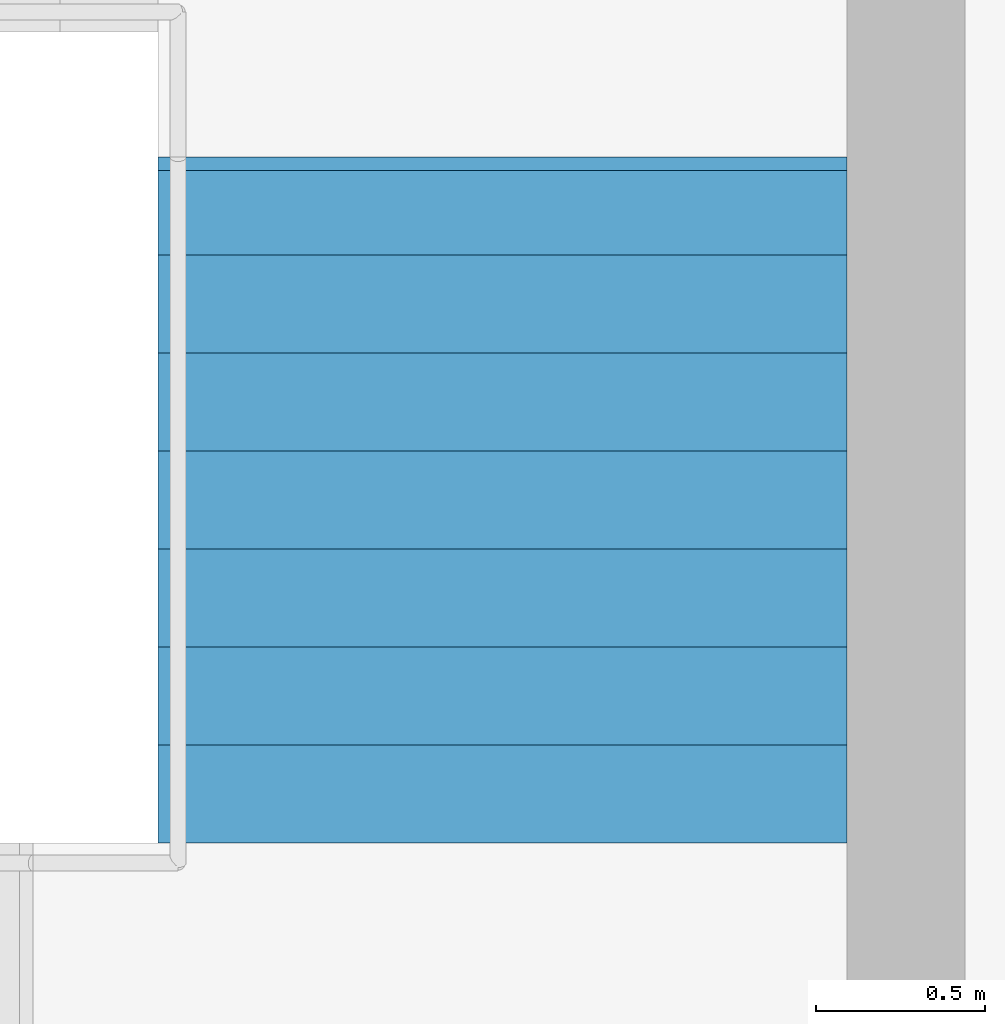
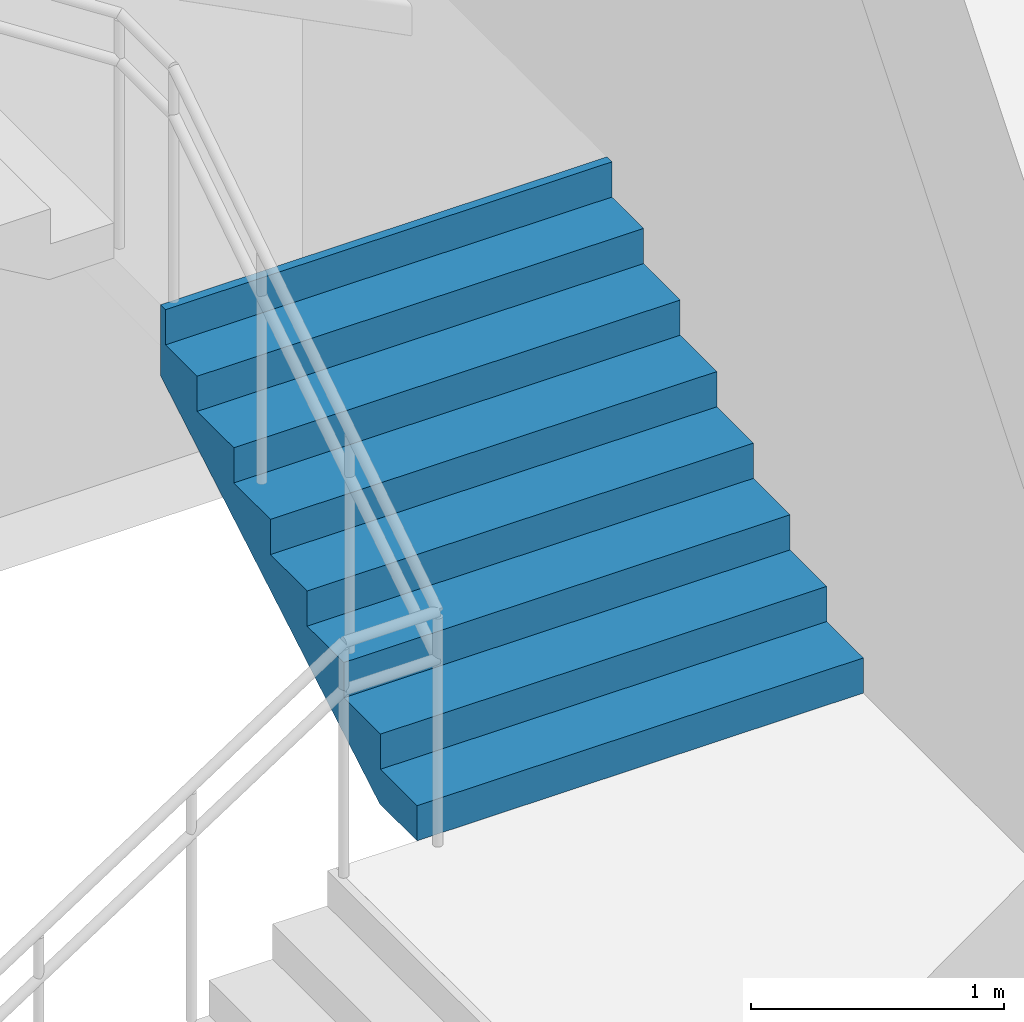
# One storey, part 55 of 72: 1 stair flight, 1 element without a shape of its own.
"""IFC4 building model written with IfcOpenShell, lengths in metres."""

from ifc_helpers import new_model, si_unit, direction, frame, origin, place, context, subcontext, project, spatial, triangles, material, type_object, element, aggregate, save


model = new_model("IFC4")

# Units and contexts
model_context = context("Model", 3, precision=1e-05, world=origin(), true_north=direction((0.0, 1.0)))
body_context = subcontext(model_context, "Body", "Model", "MODEL_VIEW")
ifc_project = project(units=[si_unit("LENGTHUNIT", "METRE"), si_unit("AREAUNIT", "SQUARE_METRE"), si_unit("VOLUMEUNIT", "CUBIC_METRE"), si_unit("PLANEANGLEUNIT", "RADIAN"), si_unit("MASSUNIT", "GRAM", prefix="KILO")], contexts=[model_context])

# Site, building, storey
site_placement = place(None, origin())
site = spatial("IfcSite", under=ifc_project, at=site_placement, CompositionType="ELEMENT")
building_placement = place(site_placement, origin())
building = spatial("IfcBuilding", under=site, at=building_placement, Name="Sillaruma Civic Art Gallery", CompositionType="ELEMENT")
storey_placement = place(building_placement, frame((0.0, 0.0, 10.8798828125)))
storey = spatial("IfcBuildingStorey", under=building, at=storey_placement, Name="L02", CompositionType="ELEMENT", Elevation=10.8798828125)

# Stair, stair flight
ifc_material = material(Name="Concrete H35 (35 MPa)", Category="concrete")
stair_type = type_object("IfcStairType", Name="STR-4F-32", PredefinedType="USERDEFINED", material=ifc_material)
stair_placement = place(storey_placement, origin())
stair = element("IfcStair", 1, at=stair_placement, inside=storey, type_object=stair_type, Name="Protected Exit Stair ST-04 (East Bar) (L02)", ObjectType="THREE_RETURN_STAIR", PredefinedType="USERDEFINED")
stair_flight_type = type_object("IfcStairFlightType", Name="SFL-STR-8", PredefinedType="STRAIGHT", material=ifc_material)
stair_flight_placement = place(storey_placement, frame((104.320068359375, 53.25, 1.360107421875), z_axis=(0.0, 0.0, 1.0), x_axis=(0.0, 1.0, 0.0)))
stair_flight = element("IfcStairFlight", 2, at=stair_flight_placement, type_object=stair_flight_type, Name="ST-04 flight 2", NumberOfRisers=8, NumberOfTreads=7, PredefinedType="STRAIGHT", RiserHeight=0.17, TreadLength=0.29, context=body_context, shape_type="Tessellation", body=[
    triangles([(0.0, -1.02001953125, 0.0), (0.29, -1.02001953125, 0.0), (0.296443, -1.02001953125, 0.0), (0.58, -1.02001953125, 0.166223), (0.87, -1.02001953125, 0.336223), (1.16, -1.02001953125, 0.506223), (1.45, -1.02001953125, 0.676223), (1.74, -1.02001953125, 0.846223), (1.990029, -1.02001953125, 0.992792), (2.030029, -1.02001953125, 1.01624), (2.030029, -1.02001953125, 1.36), (1.990029, -1.02001953125, 1.36), (1.990029, -1.02001953125, 1.19), (1.74, -1.02001953125, 1.19), (1.74, -1.02001953125, 1.02), (1.45, -1.02001953125, 1.02), (1.45, -1.02001953125, 0.85), (1.16, -1.02001953125, 0.85), (1.16, -1.02001953125, 0.68), (0.87, -1.02001953125, 0.68), (0.87, -1.02001953125, 0.51), (0.58, -1.02001953125, 0.51), (0.58, -1.02001953125, 0.34), (0.296443, -1.02001953125, 0.34), (0.29, -1.02001953125, 0.34), (0.29, -1.02001953125, 0.17), (0.0, -1.02001953125, 0.17), (0.0, -0.05, 0.0), (0.29, -0.05, 0.0), (0.296443, -0.05, 0.0), (0.58, -0.05, 0.166223), (0.87, -0.05, 0.336223), (1.16, -0.05, 0.506223), (1.45, -0.05, 0.676223), (1.74, -0.05, 0.846223), (1.990029, -0.05, 0.992792), (2.030029, -0.05, 1.01624), (2.030029, -0.05, 1.36), (1.990029, -0.05, 1.36), (1.990029, -0.05, 1.19), (1.74, -0.05, 1.19), (1.74, -0.05, 1.02), (1.45, -0.05, 1.02), (1.45, -0.05, 0.85), (1.16, -0.05, 0.85), (1.16, -0.05, 0.68), (0.87, -0.05, 0.68), (0.87, -0.05, 0.51), (0.58, -0.05, 0.51), (0.58, -0.05, 0.34), (0.296443, -0.05, 0.34), (0.29, -0.05, 0.34), (0.29, -0.05, 0.17), (0.0, -0.05, 0.17), (0.0, -0.0375, 0.0), (0.29, -0.0375, 0.0), (0.296443, -0.0375, 0.0), (0.58, -0.0375, 0.166223), (0.87, -0.0375, 0.336223), (1.16, -0.0375, 0.506223), (1.45, -0.0375, 0.676223), (1.74, -0.0375, 0.846223), (1.990029, -0.0375, 0.992792), (2.030029, -0.0375, 1.01624), (2.030029, -0.0375, 1.36), (1.990029, -0.0375, 1.36), (1.990029, -0.0375, 1.19), (1.74, -0.0375, 1.19), (1.74, -0.0375, 1.02), (1.45, -0.0375, 1.02), (1.45, -0.0375, 0.85), (1.16, -0.0375, 0.85), (1.16, -0.0375, 0.68), (0.87, -0.0375, 0.68), (0.87, -0.0375, 0.51), (0.58, -0.0375, 0.51), (0.58, -0.0375, 0.34), (0.296443, -0.0375, 0.34), (0.29, -0.0375, 0.34), (0.29, -0.0375, 0.17), (0.0, -0.0375, 0.17), (0.0, -0.025, 0.0), (0.29, -0.025, 0.0), (0.296443, -0.025, 0.0), (0.58, -0.025, 0.166223), (0.87, -0.025, 0.336223), (1.16, -0.025, 0.506223), (1.45, -0.025, 0.676223), (1.74, -0.025, 0.846223), (1.990029, -0.025, 0.992792), (2.030029, -0.025, 1.01624), (2.030029, -0.025, 1.36), (1.990029, -0.025, 1.36), (1.990029, -0.025, 1.19), (1.74, -0.025, 1.19), (1.74, -0.025, 1.02), (1.45, -0.025, 1.02), (1.45, -0.025, 0.85), (1.16, -0.025, 0.85), (1.16, -0.025, 0.68), (0.87, -0.025, 0.68), (0.87, -0.025, 0.51), (0.58, -0.025, 0.51), (0.58, -0.025, 0.34), (0.296443, -0.025, 0.34), (0.29, -0.025, 0.34), (0.29, -0.025, 0.17), (0.0, -0.025, 0.17), (0.0, -0.0125, 0.0), (0.29, -0.0125, 0.0), (0.296443, -0.0125, 0.0), (0.58, -0.0125, 0.166223), (0.87, -0.0125, 0.336223), (1.16, -0.0125, 0.506223), (1.45, -0.0125, 0.676223), (1.74, -0.0125, 0.846223), (1.990029, -0.0125, 0.992792), (2.030029, -0.0125, 1.01624), (2.030029, -0.0125, 1.36), (1.990029, -0.0125, 1.36), (1.990029, -0.0125, 1.19), (1.74, -0.0125, 1.19), (1.74, -0.0125, 1.02), (1.45, -0.0125, 1.02), (1.45, -0.0125, 0.85), (1.16, -0.0125, 0.85), (1.16, -0.0125, 0.68), (0.87, -0.0125, 0.68), (0.87, -0.0125, 0.51), (0.58, -0.0125, 0.51), (0.58, -0.0125, 0.34), (0.296443, -0.0125, 0.34), (0.29, -0.0125, 0.34), (0.29, -0.0125, 0.17), (0.0, -0.0125, 0.17), (0.0, 0.0, 0.0), (0.29, 0.0, 0.0), (0.296443, 0.0, 0.0), (0.58, 0.0, 0.166223), (0.87, 0.0, 0.336223), (1.16, 0.0, 0.506223), (1.45, 0.0, 0.676223), (1.74, 0.0, 0.846223), (1.990029, 0.0, 0.992792), (2.030029, 0.0, 1.01624), (2.030029, 0.0, 1.36), (1.990029, 0.0, 1.36), (1.990029, 0.0, 1.19), (1.74, 0.0, 1.19), (1.74, 0.0, 1.02), (1.45, 0.0, 1.02), (1.45, 0.0, 0.85), (1.16, 0.0, 0.85), (1.16, 0.0, 0.68), (0.87, 0.0, 0.68), (0.87, 0.0, 0.51), (0.58, 0.0, 0.51), (0.58, 0.0, 0.34), (0.296443, 0.0, 0.34), (0.29, 0.0, 0.34), (0.29, 0.0, 0.17), (0.0, 0.0, 0.17), (0.0, 0.0125, 0.0), (0.29, 0.0125, 0.0), (0.296443, 0.0125, 0.0), (0.58, 0.0125, 0.166223), (0.87, 0.0125, 0.336223), (1.16, 0.0125, 0.506223), (1.45, 0.0125, 0.676223), (1.74, 0.0125, 0.846223), (1.990029, 0.0125, 0.992792), (2.030029, 0.0125, 1.01624), (2.030029, 0.0125, 1.36), (1.990029, 0.0125, 1.36), (1.990029, 0.0125, 1.19), (1.74, 0.0125, 1.19), (1.74, 0.0125, 1.02), (1.45, 0.0125, 1.02), (1.45, 0.0125, 0.85), (1.16, 0.0125, 0.85), (1.16, 0.0125, 0.68), (0.87, 0.0125, 0.68), (0.87, 0.0125, 0.51), (0.58, 0.0125, 0.51), (0.58, 0.0125, 0.34), (0.296443, 0.0125, 0.34), (0.29, 0.0125, 0.34), (0.29, 0.0125, 0.17), (0.0, 0.0125, 0.17), (0.0, 0.025, 0.0), (0.29, 0.025, 0.0), (0.296443, 0.025, 0.0), (0.58, 0.025, 0.166223), (0.87, 0.025, 0.336223), (1.16, 0.025, 0.506223), (1.45, 0.025, 0.676223), (1.74, 0.025, 0.846223), (1.990029, 0.025, 0.992792), (2.030029, 0.025, 1.01624), (2.030029, 0.025, 1.36), (1.990029, 0.025, 1.36), (1.990029, 0.025, 1.19), (1.74, 0.025, 1.19), (1.74, 0.025, 1.02), (1.45, 0.025, 1.02), (1.45, 0.025, 0.85), (1.16, 0.025, 0.85), (1.16, 0.025, 0.68), (0.87, 0.025, 0.68), (0.87, 0.025, 0.51), (0.58, 0.025, 0.51), (0.58, 0.025, 0.34), (0.296443, 0.025, 0.34), (0.29, 0.025, 0.34), (0.29, 0.025, 0.17), (0.0, 0.025, 0.17), (0.0, 0.0375, 0.0), (0.29, 0.0375, 0.0), (0.296443, 0.0375, 0.0), (0.58, 0.0375, 0.166223), (0.87, 0.0375, 0.336223), (1.16, 0.0375, 0.506223), (1.45, 0.0375, 0.676223), (1.74, 0.0375, 0.846223), (1.990029, 0.0375, 0.992792), (2.030029, 0.0375, 1.01624), (2.030029, 0.0375, 1.36), (1.990029, 0.0375, 1.36), (1.990029, 0.0375, 1.19), (1.74, 0.0375, 1.19), (1.74, 0.0375, 1.02), (1.45, 0.0375, 1.02), (1.45, 0.0375, 0.85), (1.16, 0.0375, 0.85), (1.16, 0.0375, 0.68), (0.87, 0.0375, 0.68), (0.87, 0.0375, 0.51), (0.58, 0.0375, 0.51), (0.58, 0.0375, 0.34), (0.296443, 0.0375, 0.34), (0.29, 0.0375, 0.34), (0.29, 0.0375, 0.17), (0.0, 0.0375, 0.17), (0.0, 0.05, 0.0), (0.29, 0.05, 0.0), (0.296443, 0.05, 0.0), (0.58, 0.05, 0.166223), (0.87, 0.05, 0.336223), (1.16, 0.05, 0.506223), (1.45, 0.05, 0.676223), (1.74, 0.05, 0.846223), (1.990029, 0.05, 0.992792), (2.030029, 0.05, 1.01624), (2.030029, 0.05, 1.36), (1.990029, 0.05, 1.36), (1.990029, 0.05, 1.19), (1.74, 0.05, 1.19), (1.74, 0.05, 1.02), (1.45, 0.05, 1.02), (1.45, 0.05, 0.85), (1.16, 0.05, 0.85), (1.16, 0.05, 0.68), (0.87, 0.05, 0.68), (0.87, 0.05, 0.51), (0.58, 0.05, 0.51), (0.58, 0.05, 0.34), (0.296443, 0.05, 0.34), (0.29, 0.05, 0.34), (0.29, 0.05, 0.17), (0.0, 0.05, 0.17), (0.0, 1.02001953125, 0.0), (0.29, 1.02001953125, 0.0), (0.296443, 1.02001953125, 0.0), (0.58, 1.02001953125, 0.166223), (0.87, 1.02001953125, 0.336223), (1.16, 1.02001953125, 0.506223), (1.45, 1.02001953125, 0.676223), (1.74, 1.02001953125, 0.846223), (1.990029, 1.02001953125, 0.992792), (2.030029, 1.02001953125, 1.01624), (2.030029, 1.02001953125, 1.36), (1.990029, 1.02001953125, 1.36), (1.990029, 1.02001953125, 1.19), (1.74, 1.02001953125, 1.19), (1.74, 1.02001953125, 1.02), (1.45, 1.02001953125, 1.02), (1.45, 1.02001953125, 0.85), (1.16, 1.02001953125, 0.85), (1.16, 1.02001953125, 0.68), (0.87, 1.02001953125, 0.68), (0.87, 1.02001953125, 0.51), (0.58, 1.02001953125, 0.51), (0.58, 1.02001953125, 0.34), (0.296443, 1.02001953125, 0.34), (0.29, 1.02001953125, 0.34), (0.29, 1.02001953125, 0.17), (0.0, 1.02001953125, 0.17)], [[1, 2, 26], [1, 26, 27], [2, 3, 24], [2, 24, 26], [26, 24, 25], [3, 4, 23], [3, 23, 24], [4, 5, 21], [4, 21, 23], [23, 21, 22], [5, 6, 19], [5, 19, 21], [21, 19, 20], [6, 7, 17], [6, 17, 19], [19, 17, 18], [7, 8, 15], [7, 15, 17], [17, 15, 16], [8, 9, 13], [8, 13, 15], [15, 13, 14], [9, 10, 11], [9, 11, 13], [13, 11, 12], [296, 272, 271], [297, 296, 271], [294, 273, 272], [296, 294, 272], [295, 294, 296], [293, 274, 273], [294, 293, 273], [291, 275, 274], [293, 291, 274], [292, 291, 293], [289, 276, 275], [291, 289, 275], [290, 289, 291], [287, 277, 276], [289, 287, 276], [288, 287, 289], [285, 278, 277], [287, 285, 277], [286, 285, 287], [283, 279, 278], [285, 283, 278], [284, 283, 285], [281, 280, 279], [283, 281, 279], [282, 281, 283], [2, 1, 28], [2, 28, 29], [3, 2, 29], [3, 29, 30], [4, 3, 30], [4, 30, 31], [5, 4, 31], [5, 31, 32], [6, 5, 32], [6, 32, 33], [7, 6, 33], [7, 33, 34], [8, 7, 34], [8, 34, 35], [9, 8, 35], [9, 35, 36], [10, 9, 36], [10, 36, 37], [11, 10, 37], [11, 37, 38], [12, 11, 38], [12, 38, 39], [13, 12, 39], [13, 39, 40], [14, 13, 40], [14, 40, 41], [15, 14, 41], [15, 41, 42], [16, 15, 42], [16, 42, 43], [17, 16, 43], [17, 43, 44], [18, 17, 44], [18, 44, 45], [19, 18, 45], [19, 45, 46], [20, 19, 46], [20, 46, 47], [21, 20, 47], [21, 47, 48], [22, 21, 48], [22, 48, 49], [23, 22, 49], [23, 49, 50], [24, 23, 50], [24, 50, 51], [25, 24, 51], [25, 51, 52], [26, 25, 52], [26, 52, 53], [27, 26, 53], [27, 53, 54], [1, 27, 54], [1, 54, 28], [29, 28, 55], [29, 55, 56], [30, 29, 56], [30, 56, 57], [31, 30, 57], [31, 57, 58], [32, 31, 58], [32, 58, 59], [33, 32, 59], [33, 59, 60], [34, 33, 60], [34, 60, 61], [35, 34, 61], [35, 61, 62], [36, 35, 62], [36, 62, 63], [37, 36, 63], [37, 63, 64], [38, 37, 64], [38, 64, 65], [39, 38, 65], [39, 65, 66], [40, 39, 66], [40, 66, 67], [41, 40, 67], [41, 67, 68], [42, 41, 68], [42, 68, 69], [43, 42, 69], [43, 69, 70], [44, 43, 70], [44, 70, 71], [45, 44, 71], [45, 71, 72], [46, 45, 72], [46, 72, 73], [47, 46, 73], [47, 73, 74], [48, 47, 74], [48, 74, 75], [49, 48, 75], [49, 75, 76], [50, 49, 76], [50, 76, 77], [51, 50, 77], [51, 77, 78], [52, 51, 78], [52, 78, 79], [53, 52, 79], [53, 79, 80], [54, 53, 80], [54, 80, 81], [28, 54, 81], [28, 81, 55], [56, 55, 82], [56, 82, 83], [57, 56, 83], [57, 83, 84], [58, 57, 84], [58, 84, 85], [59, 58, 85], [59, 85, 86], [60, 59, 86], [60, 86, 87], [61, 60, 87], [61, 87, 88], [62, 61, 88], [62, 88, 89], [63, 62, 89], [63, 89, 90], [64, 63, 90], [64, 90, 91], [65, 64, 91], [65, 91, 92], [66, 65, 92], [66, 92, 93], [67, 66, 93], [67, 93, 94], [68, 67, 94], [68, 94, 95], [69, 68, 95], [69, 95, 96], [70, 69, 96], [70, 96, 97], [71, 70, 97], [71, 97, 98], [72, 71, 98], [72, 98, 99], [73, 72, 99], [73, 99, 100], [74, 73, 100], [74, 100, 101], [75, 74, 101], [75, 101, 102], [76, 75, 102], [76, 102, 103], [77, 76, 103], [77, 103, 104], [78, 77, 104], [78, 104, 105], [79, 78, 105], [79, 105, 106], [80, 79, 106], [80, 106, 107], [81, 80, 107], [81, 107, 108], [55, 81, 108], [55, 108, 82], [83, 82, 109], [83, 109, 110], [84, 83, 110], [84, 110, 111], [85, 84, 111], [85, 111, 112], [86, 85, 112], [86, 112, 113], [87, 86, 113], [87, 113, 114], [88, 87, 114], [88, 114, 115], [89, 88, 115], [89, 115, 116], [90, 89, 116], [90, 116, 117], [91, 90, 117], [91, 117, 118], [92, 91, 118], [92, 118, 119], [93, 92, 119], [93, 119, 120], [94, 93, 120], [94, 120, 121], [95, 94, 121], [95, 121, 122], [96, 95, 122], [96, 122, 123], [97, 96, 123], [97, 123, 124], [98, 97, 124], [98, 124, 125], [99, 98, 125], [99, 125, 126], [100, 99, 126], [100, 126, 127], [101, 100, 127], [101, 127, 128], [102, 101, 128], [102, 128, 129], [103, 102, 129], [103, 129, 130], [104, 103, 130], [104, 130, 131], [105, 104, 131], [105, 131, 132], [106, 105, 132], [106, 132, 133], [107, 106, 133], [107, 133, 134], [108, 107, 134], [108, 134, 135], [82, 108, 135], [82, 135, 109], [110, 109, 136], [110, 136, 137], [111, 110, 137], [111, 137, 138], [112, 111, 138], [112, 138, 139], [113, 112, 139], [113, 139, 140], [114, 113, 140], [114, 140, 141], [115, 114, 141], [115, 141, 142], [116, 115, 142], [116, 142, 143], [117, 116, 143], [117, 143, 144], [118, 117, 144], [118, 144, 145], [119, 118, 145], [119, 145, 146], [120, 119, 146], [120, 146, 147], [121, 120, 147], [121, 147, 148], [122, 121, 148], [122, 148, 149], [123, 122, 149], [123, 149, 150], [124, 123, 150], [124, 150, 151], [125, 124, 151], [125, 151, 152], [126, 125, 152], [126, 152, 153], [127, 126, 153], [127, 153, 154], [128, 127, 154], [128, 154, 155], [129, 128, 155], [129, 155, 156], [130, 129, 156], [130, 156, 157], [131, 130, 157], [131, 157, 158], [132, 131, 158], [132, 158, 159], [133, 132, 159], [133, 159, 160], [134, 133, 160], [134, 160, 161], [135, 134, 161], [135, 161, 162], [109, 135, 162], [109, 162, 136], [137, 136, 163], [137, 163, 164], [138, 137, 164], [138, 164, 165], [139, 138, 165], [139, 165, 166], [140, 139, 166], [140, 166, 167], [141, 140, 167], [141, 167, 168], [142, 141, 168], [142, 168, 169], [143, 142, 169], [143, 169, 170], [144, 143, 170], [144, 170, 171], [145, 144, 171], [145, 171, 172], [146, 145, 172], [146, 172, 173], [147, 146, 173], [147, 173, 174], [148, 147, 174], [148, 174, 175], [149, 148, 175], [149, 175, 176], [150, 149, 176], [150, 176, 177], [151, 150, 177], [151, 177, 178], [152, 151, 178], [152, 178, 179], [153, 152, 179], [153, 179, 180], [154, 153, 180], [154, 180, 181], [155, 154, 181], [155, 181, 182], [156, 155, 182], [156, 182, 183], [157, 156, 183], [157, 183, 184], [158, 157, 184], [158, 184, 185], [159, 158, 185], [159, 185, 186], [160, 159, 186], [160, 186, 187], [161, 160, 187], [161, 187, 188], [162, 161, 188], [162, 188, 189], [136, 162, 189], [136, 189, 163], [164, 163, 190], [164, 190, 191], [165, 164, 191], [165, 191, 192], [166, 165, 192], [166, 192, 193], [167, 166, 193], [167, 193, 194], [168, 167, 194], [168, 194, 195], [169, 168, 195], [169, 195, 196], [170, 169, 196], [170, 196, 197], [171, 170, 197], [171, 197, 198], [172, 171, 198], [172, 198, 199], [173, 172, 199], [173, 199, 200], [174, 173, 200], [174, 200, 201], [175, 174, 201], [175, 201, 202], [176, 175, 202], [176, 202, 203], [177, 176, 203], [177, 203, 204], [178, 177, 204], [178, 204, 205], [179, 178, 205], [179, 205, 206], [180, 179, 206], [180, 206, 207], [181, 180, 207], [181, 207, 208], [182, 181, 208], [182, 208, 209], [183, 182, 209], [183, 209, 210], [184, 183, 210], [184, 210, 211], [185, 184, 211], [185, 211, 212], [186, 185, 212], [186, 212, 213], [187, 186, 213], [187, 213, 214], [188, 187, 214], [188, 214, 215], [189, 188, 215], [189, 215, 216], [163, 189, 216], [163, 216, 190], [191, 190, 217], [191, 217, 218], [192, 191, 218], [192, 218, 219], [193, 192, 219], [193, 219, 220], [194, 193, 220], [194, 220, 221], [195, 194, 221], [195, 221, 222], [196, 195, 222], [196, 222, 223], [197, 196, 223], [197, 223, 224], [198, 197, 224], [198, 224, 225], [199, 198, 225], [199, 225, 226], [200, 199, 226], [200, 226, 227], [201, 200, 227], [201, 227, 228], [202, 201, 228], [202, 228, 229], [203, 202, 229], [203, 229, 230], [204, 203, 230], [204, 230, 231], [205, 204, 231], [205, 231, 232], [206, 205, 232], [206, 232, 233], [207, 206, 233], [207, 233, 234], [208, 207, 234], [208, 234, 235], [209, 208, 235], [209, 235, 236], [210, 209, 236], [210, 236, 237], [211, 210, 237], [211, 237, 238], [212, 211, 238], [212, 238, 239], [213, 212, 239], [213, 239, 240], [214, 213, 240], [214, 240, 241], [215, 214, 241], [215, 241, 242], [216, 215, 242], [216, 242, 243], [190, 216, 243], [190, 243, 217], [218, 217, 244], [218, 244, 245], [219, 218, 245], [219, 245, 246], [220, 219, 246], [220, 246, 247], [221, 220, 247], [221, 247, 248], [222, 221, 248], [222, 248, 249], [223, 222, 249], [223, 249, 250], [224, 223, 250], [224, 250, 251], [225, 224, 251], [225, 251, 252], [226, 225, 252], [226, 252, 253], [227, 226, 253], [227, 253, 254], [228, 227, 254], [228, 254, 255], [229, 228, 255], [229, 255, 256], [230, 229, 256], [230, 256, 257], [231, 230, 257], [231, 257, 258], [232, 231, 258], [232, 258, 259], [233, 232, 259], [233, 259, 260], [234, 233, 260], [234, 260, 261], [235, 234, 261], [235, 261, 262], [236, 235, 262], [236, 262, 263], [237, 236, 263], [237, 263, 264], [238, 237, 264], [238, 264, 265], [239, 238, 265], [239, 265, 266], [240, 239, 266], [240, 266, 267], [241, 240, 267], [241, 267, 268], [242, 241, 268], [242, 268, 269], [243, 242, 269], [243, 269, 270], [217, 243, 270], [217, 270, 244], [245, 244, 271], [245, 271, 272], [246, 245, 272], [246, 272, 273], [247, 246, 273], [247, 273, 274], [248, 247, 274], [248, 274, 275], [249, 248, 275], [249, 275, 276], [250, 249, 276], [250, 276, 277], [251, 250, 277], [251, 277, 278], [252, 251, 278], [252, 278, 279], [253, 252, 279], [253, 279, 280], [254, 253, 280], [254, 280, 281], [255, 254, 281], [255, 281, 282], [256, 255, 282], [256, 282, 283], [257, 256, 283], [257, 283, 284], [258, 257, 284], [258, 284, 285], [259, 258, 285], [259, 285, 286], [260, 259, 286], [260, 286, 287], [261, 260, 287], [261, 287, 288], [262, 261, 288], [262, 288, 289], [263, 262, 289], [263, 289, 290], [264, 263, 290], [264, 290, 291], [265, 264, 291], [265, 291, 292], [266, 265, 292], [266, 292, 293], [267, 266, 293], [267, 293, 294], [268, 267, 294], [268, 294, 295], [269, 268, 295], [269, 295, 296], [270, 269, 296], [270, 296, 297], [244, 270, 297], [244, 297, 271]], closed=True),
])
aggregate(stair, [stair_flight])

save(model, "model.ifc")
